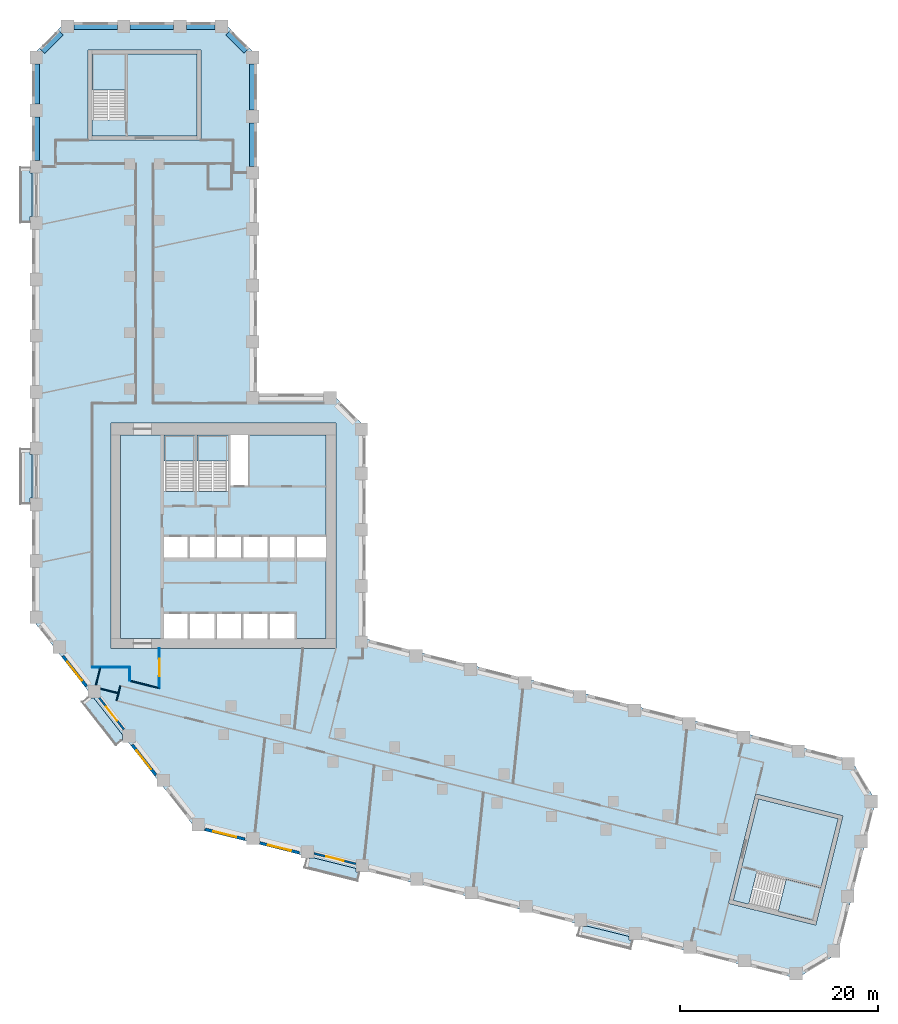
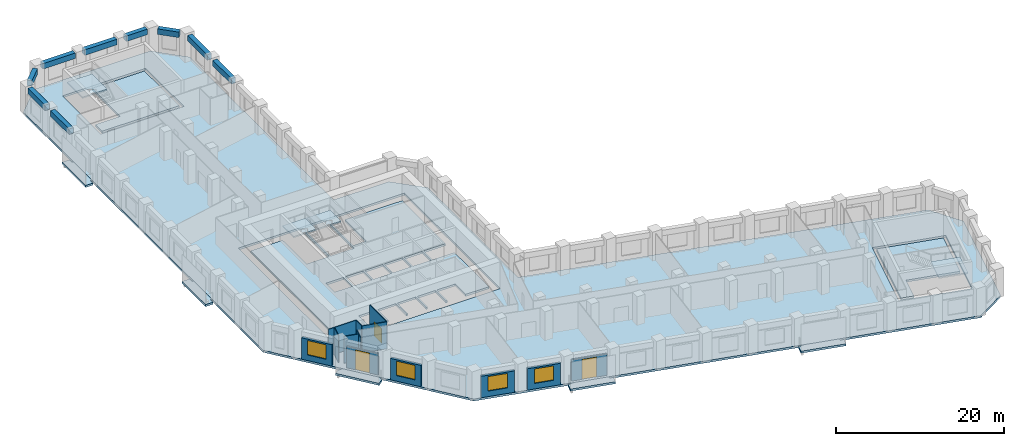
# One storey, part 2 of 11: 13 slabs, 13 walls, 9 beams, 4 windows, 3 doors, 7 openings, 4 elements without a shape of their own.
"""IFC4 building model written with IfcOpenShell, lengths in metres."""

import ifcopenshell
import ifcopenshell.guid

model = None  # the IFC model being written
_history = None  # IfcOwnerHistory: only IFC2X3 demands one
_inside = {}  # id of a spatial element -> (the spatial element, [elements in it])
_under = {}  # id of a project, library or spatial element -> (it, [spatial elements below it])
_declared = {}  # id of a project -> (the project, [libraries it declares])
_typed = {}  # id of a type object -> (the type object, [elements of that type])
_made_of = {}  # id of a material, layer set ... -> (it, [elements and type objects made of it])


def new_model(schema):
    """Start an empty IFC model of exactly this schema.

    Asked for "IFC4X3", IfcOpenShell would pick the latest addendum, in which some entities
    have other attributes; the version numbers below select the first issue.
    IFC2X3 requires an IfcOwnerHistory on every rooted entity: one is made here for all.
    """
    global model, _history
    if schema == "IFC4X3":
        model = ifcopenshell.file(schema_version=(4, 3, 0, 0))
    else:
        model = ifcopenshell.file(schema=schema)
    _inside.clear()
    _under.clear()
    _declared.clear()
    _typed.clear()
    _made_of.clear()
    _history = None
    if model.schema == "IFC2X3":
        org = make("IfcOrganization", Name="unknown")
        user = make(
            "IfcPersonAndOrganization",
            ThePerson=make("IfcPerson", FamilyName="unknown"),
            TheOrganization=org,
        )
        app = make(
            "IfcApplication",
            ApplicationDeveloper=org,
            Version="unknown",
            ApplicationFullName="unknown",
            ApplicationIdentifier="unknown",
        )
        _history = make(
            "IfcOwnerHistory",
            OwningUser=user,
            OwningApplication=app,
            ChangeAction="ADDED",
            CreationDate=0,
        )
    return model


def make(cls, **values):
    """One entity of the class cls with the attributes given. An attribute that is None is left unset."""
    return model.create_entity(
        cls, **{name: value for name, value in values.items() if value is not None}
    )


def rooted(cls, **values):
    """An entity with a GlobalId (a new one), such as an element, a storey or a relation."""
    return make(cls, GlobalId=ifcopenshell.guid.new(), OwnerHistory=_history, **values)


def si_unit(unit_type, name, prefix=None):
    """IfcSIUnit, for example si_unit("LENGTHUNIT", "METRE", prefix="MILLI")."""
    return make("IfcSIUnit", UnitType=unit_type, Prefix=prefix, Name=name)


def assignment(units):
    """IfcUnitAssignment: the units of a project."""
    return None if units is None else make("IfcUnitAssignment", Units=units)


def point(xyz):
    """IfcCartesianPoint."""
    return None if xyz is None else make("IfcCartesianPoint", Coordinates=xyz)


def direction(xyz):
    """IfcDirection."""
    return None if xyz is None else make("IfcDirection", DirectionRatios=xyz)


def frame(location, z_axis=None, x_axis=None):
    """IfcAxis2Placement3D, a coordinate frame: its origin and axes. An axis left out is left unset."""
    return make(
        "IfcAxis2Placement3D",
        Location=point(location),
        Axis=direction(z_axis),
        RefDirection=direction(x_axis),
    )


def frame_2d(location, x_axis=None):
    """IfcAxis2Placement2D, a coordinate frame in the plane: its origin and x axis."""
    return make(
        "IfcAxis2Placement2D", Location=point(location), RefDirection=direction(x_axis)
    )


def origin():
    """The frame at (0, 0, 0) with its axes left unset."""
    return frame((0.0, 0.0, 0.0))


def origin_2d():
    """The frame at (0, 0) in the plane with its x axis left unset."""
    return frame_2d((0.0, 0.0))


def place(relative_to, where):
    """IfcLocalPlacement: puts the frame where relative to a parent placement (None: the world)."""
    return make(
        "IfcLocalPlacement", PlacementRelTo=relative_to, RelativePlacement=where
    )


def context(
    kind, dimensions, precision=None, world=None, true_north=None, identifier=None
):
    """IfcGeometricRepresentationContext, for example the 3D "Model" context."""
    return make(
        "IfcGeometricRepresentationContext",
        ContextIdentifier=identifier,
        ContextType=kind,
        CoordinateSpaceDimension=dimensions,
        Precision=precision,
        WorldCoordinateSystem=world,
        TrueNorth=true_north,
    )


def subcontext(parent, identifier, kind, view, scale=None):
    """IfcGeometricRepresentationSubContext, for example "Body" below "Model"."""
    return make(
        "IfcGeometricRepresentationSubContext",
        ContextIdentifier=identifier,
        ContextType=kind,
        ParentContext=parent,
        TargetScale=scale,
        TargetView=view,
    )


def project(units=None, contexts=None):
    """IfcProject with its units and contexts."""
    return rooted(
        "IfcProject",
        Name="project",
        RepresentationContexts=contexts,
        UnitsInContext=assignment(units),
    )


def spatial(cls, under=None, at=None, **own):
    """A site, building, storey or space (cls), placed at a placement, below another one or the project."""
    s = rooted(cls, ObjectPlacement=at, **own)
    if under is not None:
        _under.setdefault(under.id(), (under, []))[1].append(s)
    return s


def polyline(points):
    """IfcPolyline through the points."""
    return make("IfcPolyline", Points=[point(p) for p in points])


def profile(cls, at=None, kind="AREA", **sizes):
    """A parametric profile (cls). Its sizes go by their IFC names, for example OverallWidth=200.0."""
    return make(cls, ProfileType=kind, Position=at, **sizes)


def rectangle(**sizes):
    """IfcRectangleProfileDef."""
    return profile("IfcRectangleProfileDef", **sizes)


def outline(outer, holes=None, kind="AREA"):
    """IfcArbitraryClosedProfileDef: a profile drawn as a closed curve; with holes, ...WithVoids."""
    if holes is None:
        return make("IfcArbitraryClosedProfileDef", ProfileType=kind, OuterCurve=outer)
    return make(
        "IfcArbitraryProfileDefWithVoids",
        ProfileType=kind,
        OuterCurve=outer,
        InnerCurves=holes,
    )


def extrude(swept, where, along, depth):
    """IfcExtrudedAreaSolid: the profile swept, set in the frame where, extruded along a direction by depth."""
    return make(
        "IfcExtrudedAreaSolid",
        SweptArea=swept,
        Position=where,
        ExtrudedDirection=direction(along),
        Depth=depth,
    )


def shape(context_of_items, identifier, shape_type, items):
    """IfcShapeRepresentation: the items that make up one representation, for example the "Body"."""
    return make(
        "IfcShapeRepresentation",
        ContextOfItems=context_of_items,
        RepresentationIdentifier=identifier,
        RepresentationType=shape_type,
        Items=items,
    )


def material(Name=None, Category=None):
    """IfcMaterial."""
    return make("IfcMaterial", Name=Name, Category=Category)


def layer(
    of_material, thickness, ventilated=None, Name=None, Category=None, Priority=None
):
    """IfcMaterialLayer: one layer of a wall or slab, of a material (None: an air gap)."""
    return make(
        "IfcMaterialLayer",
        Material=of_material,
        LayerThickness=thickness,
        IsVentilated=ventilated,
        Name=Name,
        Category=Category,
        Priority=Priority,
    )


def layer_set(layers, Name=None):
    """IfcMaterialLayerSet."""
    return make("IfcMaterialLayerSet", MaterialLayers=layers, LayerSetName=Name)


def material_profile(
    of_material, cross_section, Name=None, Category=None, Priority=None
):
    """IfcMaterialProfile: a cross section and its material."""
    return make(
        "IfcMaterialProfile",
        Name=Name,
        Material=of_material,
        Profile=cross_section,
        Priority=Priority,
        Category=Category,
    )


def profile_set(profiles, Name=None, composite=None):
    """IfcMaterialProfileSet."""
    return make(
        "IfcMaterialProfileSet",
        Name=Name,
        MaterialProfiles=profiles,
        CompositeProfile=composite,
    )


def made_of(thing, what):
    """Note that an element or type object is made of a material, layer set ...; save() writes the relation."""
    if what is not None:
        _made_of.setdefault(what.id(), (what, []))[1].append(thing)
    return thing


def type_object(cls, material=None, **own):
    """A type object (cls), such as IfcWallType, which elements share."""
    return made_of(rooted(cls, **own), material)


def element(
    cls,
    number,
    at=None,
    inside=None,
    cuts=None,
    type_object=None,
    material=None,
    context=None,
    identifier="Body",
    shape_type=None,
    held_by="IfcProductDefinitionShape",
    body=None,
    shapes=None,
    **own,
):
    """One element of the class cls, such as IfcWall. Its Tag is "e" and its number.

    at: its placement. inside: the storey or other place that contains it. cuts: it is an
    opening in that element (IfcRelVoidsElement). A single representation is given by context,
    identifier, shape_type and body (its items); several are given by shapes. held_by: the class
    of the entity that holds the representations. save() writes the other relations.
    """
    e = rooted(cls, Tag="e%d" % number, ObjectPlacement=at, **own)
    if body is not None:
        shapes = [shape(context, identifier, shape_type, body)]
    if shapes is not None:
        e.Representation = make(held_by, Representations=shapes)
    if inside is not None:
        _inside.setdefault(inside.id(), (inside, []))[1].append(e)
    if cuts is not None:
        rooted(
            "IfcRelVoidsElement", RelatingBuildingElement=cuts, RelatedOpeningElement=e
        )
    if type_object is not None:
        _typed.setdefault(type_object.id(), (type_object, []))[1].append(e)
    return made_of(e, material)


def fill(opening, filler):
    """IfcRelFillsElement: the door or window that sits in an opening."""
    return rooted(
        "IfcRelFillsElement",
        RelatingOpeningElement=opening,
        RelatedBuildingElement=filler,
    )


def aggregate(whole, parts):
    """IfcRelAggregates: a whole, such as a stair, and the parts it consists of."""
    return rooted("IfcRelAggregates", RelatingObject=whole, RelatedObjects=parts)


def save(model, path):
    """Write the relations noted so far, then the file.

    IfcRelAggregates (storeys below a building ...), IfcRelContainedInSpatialStructure (elements
    in a storey), IfcRelDefinesByType, IfcRelAssociatesMaterial and IfcRelDeclares: one each for
    every whole, place, type object, material and project.
    """
    for whole, parts in _under.values():
        aggregate(whole, parts)
    for where, things in _inside.values():
        rooted(
            "IfcRelContainedInSpatialStructure",
            RelatedElements=things,
            RelatingStructure=where,
        )
    for kind, things in _typed.values():
        rooted("IfcRelDefinesByType", RelatedObjects=things, RelatingType=kind)
    for what, things in _made_of.values():
        rooted("IfcRelAssociatesMaterial", RelatedObjects=things, RelatingMaterial=what)
    for by, libraries in _declared.values():
        rooted("IfcRelDeclares", RelatingContext=by, RelatedDefinitions=libraries)
    model.write(path)


model = new_model("IFC4")

# Units and contexts
model_context = context("Model", 3, precision=1e-05, world=origin(), true_north=direction((0.0, 1.0)))
body_context = subcontext(model_context, "Body", "Model", "MODEL_VIEW")
ifc_project = project(units=[si_unit("LENGTHUNIT", "METRE"), si_unit("AREAUNIT", "SQUARE_METRE"), si_unit("VOLUMEUNIT", "CUBIC_METRE"), si_unit("PLANEANGLEUNIT", "RADIAN"), si_unit("MASSUNIT", "GRAM", prefix="KILO")], contexts=[model_context])

# Site, building, storey
site_placement = place(None, origin())
site = spatial("IfcSite", under=ifc_project, at=site_placement, CompositionType="ELEMENT")
building_placement = place(site_placement, origin())
building = spatial("IfcBuilding", under=site, at=building_placement, Name="Meshkara Civic Tower", CompositionType="ELEMENT")
storey_placement = place(building_placement, frame((0.0, 0.0, 143.39990234375)))
storey = spatial("IfcBuildingStorey", under=building, at=storey_placement, Name="L32", CompositionType="ELEMENT", Elevation=143.39990234375)

# Beams
ifc_material_1 = material(Name="Concrete C70", Category="concrete")
ifc_material_profile = material_profile(ifc_material_1, rectangle(XDim=0.60009765625, YDim=0.800048828125, at=origin_2d()))
ifc_profile_set = profile_set([ifc_material_profile], Name="Concrete C70")
beam_type = type_object("IfcBeamType", Name="Spandrel beam RC 600x800 C70", PredefinedType="BEAM", material=ifc_profile_set)
beam_1_placement = place(storey_placement, frame((22.35009765625, 62.89501953125, 3.5), z_axis=(0.0, 1.0, 0.0), x_axis=(-1.0, 0.0, 0.0)))
element("IfcBeam", 1, at=beam_1_placement, inside=storey, type_object=beam_type, Name="Spandrel beam AE04-AE05", PredefinedType="BEAM", context=body_context, shape_type="SweptSolid", body=[
    extrude(rectangle(XDim=0.60009765625, YDim=0.800048828125, at=origin_2d()), origin(), (0.0, 0.0, 1.0), 4.409912109375),
])
beam_2_placement = place(storey_placement, frame((22.35009765625, 68.594970703125, 3.5), z_axis=(0.0, 1.0, 0.0), x_axis=(-1.0, 0.0, 0.0)))
element("IfcBeam", 2, at=beam_2_placement, inside=storey, type_object=beam_type, Name="Spandrel beam AE05-AEEP1", PredefinedType="BEAM", context=body_context, shape_type="SweptSolid", body=[
    extrude(rectangle(XDim=0.60009765625, YDim=0.800048828125, at=origin_2d()), origin(), (0.0, 0.0, 1.0), 4.674072265625),
])
beam_3_placement = place(storey_placement, frame((21.70361328125, 74.560546875, 3.5), z_axis=(-0.707106781187, 0.707106781187, 0.0), x_axis=(-0.707106781187, -0.707106781187, 0.0)))
element("IfcBeam", 3, at=beam_3_placement, inside=storey, type_object=beam_type, Name="Spandrel beam AEEP1-ATiEP1", PredefinedType="BEAM", context=body_context, shape_type="SweptSolid", body=[
    extrude(rectangle(XDim=0.60009765625, YDim=0.800048828125, at=origin_2d()), origin(), (0.0, 0.0, 1.0), 2.634765625),
])
beam_4_placement = place(storey_placement, frame((18.549072265625, 77.070068359375, 3.5), z_axis=(-1.0, 0.0, 0.0), x_axis=(0.0, -1.0, 0.0)))
element("IfcBeam", 4, at=beam_4_placement, inside=storey, type_object=beam_type, Name="Spandrel beam AT02-P1-ATiEP1", PredefinedType="BEAM", context=body_context, shape_type="SweptSolid", body=[
    extrude(rectangle(XDim=0.60009765625, YDim=0.800048828125, at=origin_2d()), origin(), (0.0, 0.0, 1.0), 2.898193359375),
])
beam_5_placement = place(storey_placement, frame((14.361083984375, 77.070068359375, 3.5), z_axis=(-1.0, 0.0, 0.0), x_axis=(0.0, -1.0, 0.0)))
element("IfcBeam", 5, at=beam_5_placement, inside=storey, type_object=beam_type, Name="Spandrel beam AT01-P1-AT02-P1", PredefinedType="BEAM", context=body_context, shape_type="SweptSolid", body=[
    extrude(rectangle(XDim=0.60009765625, YDim=0.800048828125, at=origin_2d()), origin(), (0.0, 0.0, 1.0), 4.41015625),
])
beam_6_placement = place(storey_placement, frame((8.660888671875, 77.070068359375, 3.5), z_axis=(-1.0, 0.0, 0.0), x_axis=(0.0, -1.0, 0.0)))
element("IfcBeam", 6, at=beam_6_placement, inside=storey, type_object=beam_type, Name="Spandrel beam AT00-P1-AT01-P1", PredefinedType="BEAM", context=body_context, shape_type="SweptSolid", body=[
    extrude(rectangle(XDim=0.60009765625, YDim=0.800048828125, at=origin_2d()), origin(), (0.0, 0.0, 1.0), 4.409912109375),
])
beam_7_placement = place(storey_placement, frame((2.95947265625, 76.423583984375, 3.5), z_axis=(-0.707106781187, -0.707106781187, 0.0), x_axis=(0.707106781187, -0.707106781187, 0.0)))
element("IfcBeam", 7, at=beam_7_placement, inside=storey, type_object=beam_type, Name="Spandrel beam AT00-P1-ATo00-P1", PredefinedType="BEAM", context=body_context, shape_type="SweptSolid", body=[
    extrude(rectangle(XDim=0.60009765625, YDim=0.800048828125, at=origin_2d()), origin(), (0.0, 0.0, 1.0), 2.634765625),
])
beam_8_placement = place(storey_placement, frame((0.449951171875, 73.26904296875, 3.5), z_axis=(0.0, -1.0, 0.0), x_axis=(1.0, 0.0, 0.0)))
element("IfcBeam", 8, at=beam_8_placement, inside=storey, type_object=beam_type, Name="Spandrel beam ATo00-P1-AW09", PredefinedType="BEAM", context=body_context, shape_type="SweptSolid", body=[
    extrude(rectangle(XDim=0.60009765625, YDim=0.800048828125, at=origin_2d()), origin(), (0.0, 0.0, 1.0), 4.069091796875),
])
beam_9_placement = place(storey_placement, frame((0.449951171875, 67.909912109375, 3.5), z_axis=(0.0, -1.0, 0.0), x_axis=(1.0, 0.0, 0.0)))
element("IfcBeam", 9, at=beam_9_placement, inside=storey, type_object=beam_type, Name="Spandrel beam AW08-AW09", PredefinedType="BEAM", context=body_context, shape_type="SweptSolid", body=[
    extrude(rectangle(XDim=0.60009765625, YDim=0.800048828125, at=origin_2d()), origin(), (0.0, 0.0, 1.0), 4.409912109375),
])

# Slabs
ifc_material_2 = material(Name="Concrete C40", Category="concrete")
ifc_layer_1 = layer(ifc_material_2, 0.300048828125)
ifc_layer_set_1 = layer_set([ifc_layer_1], Name="BALCONY SLAB")
slab_type_1 = type_object("IfcSlabType", Name="BALCONY SLAB", PredefinedType="FLOOR", material=ifc_layer_set_1)
slab_1_placement = place(storey_placement, frame((0.0, 0.0, -0.2998046875)))
element("IfcSlab", 10, at=slab_1_placement, inside=storey, type_object=slab_type_1, Name="Balcony slab", PredefinedType="FLOOR", context=body_context, shape_type="SweptSolid", body=[
    extrude(outline(polyline([(-1.199951171875, 57.215087890625), (-1.199951171875, 62.794921875), (-0.199951171875, 62.794921875), (-0.199951171875, 62.205078125), (0.0, 62.205078125), (0.0, 57.804931640625), (-0.199951171875, 57.804931640625), (-0.199951171875, 57.215087890625), (-1.199951171875, 57.215087890625)])), origin(), (0.0, 0.0, 1.0), 0.2998046875),
])
slab_2_placement = place(storey_placement, frame((0.0, 0.0, -0.2998046875)))
element("IfcSlab", 11, at=slab_2_placement, inside=storey, type_object=slab_type_1, Name="Balcony slab", PredefinedType="FLOOR", context=body_context, shape_type="SweptSolid", body=[
    extrude(outline(polyline([(-1.199951171875, 28.715087890625), (-1.199951171875, 34.294921875), (-0.199951171875, 34.294921875), (-0.199951171875, 33.705078125), (0.0, 33.705078125), (0.0, 29.304931640625), (-0.199951171875, 29.304931640625), (-0.199951171875, 28.715087890625), (-1.199951171875, 28.715087890625)])), origin(), (0.0, 0.0, 1.0), 0.2998046875),
])
slab_3_placement = place(storey_placement, frame((0.0, 0.0, -0.2998046875)))
element("IfcSlab", 12, at=slab_3_placement, inside=storey, type_object=slab_type_1, Name="Balcony slab", PredefinedType="FLOOR", context=body_context, shape_type="SweptSolid", body=[
    extrude(outline(polyline([(8.49609375, 4.27587890625), (5.06005859375, 8.674072265625), (5.673095703125, 9.153076171875), (5.673095703125, 9.0869140625), (6.260009765625, 9.0869140625), (9.18310546875, 5.345947265625), (9.18310546875, 4.81298828125), (8.49609375, 4.27587890625)])), origin(), (0.0, 0.0, 1.0), 0.2998046875),
])
slab_4_placement = place(storey_placement, frame((0.0, 0.0, -0.2998046875)))
element("IfcSlab", 13, at=slab_4_placement, inside=storey, type_object=slab_type_1, Name="Balcony slab", PredefinedType="FLOOR", context=body_context, shape_type="SweptSolid", body=[
    extrude(outline(polyline([(32.986083984375, -9.4609375), (27.571044921875, -8.111083984375), (27.81201171875, -7.14599609375), (28.56201171875, -7.14599609375), (28.56201171875, -7.12109375), (32.79296875, -8.176025390625), (32.79296875, -8.52490234375), (33.218994140625, -8.52490234375), (32.986083984375, -9.4609375)])), origin(), (0.0, 0.0, 1.0), 0.2998046875),
])
slab_5_placement = place(storey_placement, frame((0.0, 0.0, -0.2998046875)))
element("IfcSlab", 14, at=slab_5_placement, inside=storey, type_object=slab_type_1, Name="Balcony slab", PredefinedType="FLOOR", context=body_context, shape_type="SweptSolid", body=[
    extrude(outline(polyline([(60.639892578125, -16.35595703125), (55.22509765625, -15.006103515625), (55.466064453125, -14.0400390625), (56.216064453125, -14.0400390625), (56.216064453125, -14.01611328125), (60.447021484375, -15.071044921875), (60.447021484375, -15.4189453125), (60.873046875, -15.4189453125), (60.639892578125, -16.35595703125)])), origin(), (0.0, 0.0, 1.0), 0.2998046875),
])
ifc_material_3 = material(Name="Concrete C40/50", Category="concrete")
ifc_layer_2 = layer(ifc_material_3, 0.300048828125)
ifc_layer_set_2 = layer_set([ifc_layer_2], Name="Core floor slab 300 C40/50")
slab_type_2 = type_object("IfcSlabType", Name="Core floor slab 300 C40/50", PredefinedType="FLOOR", material=ifc_layer_set_2)
slab_6_placement = place(storey_placement, frame((0.0, 0.0, -0.2998046875)))
element("IfcSlab", 15, at=slab_6_placement, inside=storey, type_object=slab_type_2, Name="Core floor K", PredefinedType="FLOOR", context=body_context, shape_type="SweptSolid", body=[
    extrude(outline(polyline([(9.0, 35.699951171875), (13.39990234375, 35.699951171875), (13.39990234375, 30.00146484375), (16.5, 30.00146484375), (16.5, 35.699951171875), (16.699951171875, 35.699951171875), (16.699951171875, 30.00146484375), (19.89990234375, 30.00146484375), (19.89990234375, 35.699951171875), (20.10009765625, 35.699951171875), (20.10009765625, 30.574951171875), (21.925048828125, 30.574951171875), (21.925048828125, 35.699951171875), (29.800048828125, 35.699951171875), (29.800048828125, 25.39990234375), (26.800048828125, 25.39990234375), (26.800048828125, 23.300048828125), (29.800048828125, 23.300048828125), (29.800048828125, 15.10009765625), (26.60009765625, 15.10009765625), (26.60009765625, 17.60009765625), (24.10009765625, 17.60009765625), (24.10009765625, 15.10009765625), (23.89990234375, 15.10009765625), (23.89990234375, 17.60009765625), (21.39990234375, 17.60009765625), (21.39990234375, 15.10009765625), (21.199951171875, 15.10009765625), (21.199951171875, 17.60009765625), (18.699951171875, 17.60009765625), (18.699951171875, 15.10009765625), (18.5, 15.10009765625), (18.5, 17.60009765625), (16.0, 17.60009765625), (16.0, 15.10009765625), (15.800048828125, 15.10009765625), (15.800048828125, 17.60009765625), (13.39990234375, 17.60009765625), (13.39990234375, 15.10009765625), (9.0, 15.10009765625), (9.0, 35.699951171875)]), holes=[polyline([(13.39990234375, 25.39990234375), (13.39990234375, 23.300048828125), (15.800048828125, 23.300048828125), (15.800048828125, 25.39990234375), (13.39990234375, 25.39990234375)]), polyline([(18.5, 23.300048828125), (18.5, 25.39990234375), (16.0, 25.39990234375), (16.0, 23.300048828125), (18.5, 23.300048828125)]), polyline([(18.699951171875, 25.39990234375), (18.699951171875, 23.300048828125), (21.199951171875, 23.300048828125), (21.199951171875, 25.39990234375), (18.699951171875, 25.39990234375)]), polyline([(23.89990234375, 25.39990234375), (21.39990234375, 25.39990234375), (21.39990234375, 23.300048828125), (23.89990234375, 23.300048828125), (23.89990234375, 25.39990234375)]), polyline([(24.10009765625, 23.300048828125), (26.60009765625, 23.300048828125), (26.60009765625, 25.39990234375), (24.10009765625, 25.39990234375), (24.10009765625, 23.300048828125)])]), origin(), (0.0, 0.0, 1.0), 0.2998046875),
])
slab_7_placement = place(storey_placement, frame((0.0, 0.0, -0.2998046875)))
element("IfcSlab", 16, at=slab_7_placement, inside=storey, type_object=slab_type_2, Name="Core floor EA", PredefinedType="FLOOR", context=body_context, shape_type="SweptSolid", body=[
    extrude(outline(polyline([(16.699951171875, 65.969970703125), (16.699951171875, 74.27001953125), (9.5, 74.27001953125), (9.5, 67.571533203125), (6.10009765625, 67.571533203125), (6.10009765625, 65.969970703125), (16.699951171875, 65.969970703125)])), origin(), (0.0, 0.0, 1.0), 0.2998046875),
])
slab_8_placement = place(storey_placement, frame((0.0, 0.0, -0.2998046875)))
element("IfcSlab", 17, at=slab_8_placement, inside=storey, type_object=slab_type_2, Name="Core floor EB", PredefinedType="FLOOR", context=body_context, shape_type="SweptSolid", body=[
    extrude(outline(polyline([(73.581298828125, -1.134521484375), (81.634521484375, -3.142578125), (79.892822265625, -10.128662109375), (73.393310546875, -8.508056640625), (72.57080078125, -11.80712890625), (71.016845703125, -11.419677734375), (73.581298828125, -1.134521484375)])), origin(), (0.0, 0.0, 1.0), 0.2998046875),
])

# Stair, slab
ifc_material_4 = material(Name="Precast concrete C40/50", Category="concrete")
stair_type_1 = type_object("IfcStairType", Name="Exit stair half-turn 24 risers precast", PredefinedType="HALF_TURN_STAIR", material=ifc_material_4)
stair_1_placement = place(storey_placement, origin())
stair_1 = element("IfcStair", 18, at=stair_1_placement, inside=storey, type_object=stair_type_1, Name="L32 exit stair 1", PredefinedType="HALF_TURN_STAIR")
ifc_material_5 = material(Name="Precast concrete C40/50", Category="concrete")
ifc_layer_3 = layer(ifc_material_5, 0.199951171875)
ifc_layer_set_3 = layer_set([ifc_layer_3], Name="Exit stair landing 200")
slab_type_3 = type_object("IfcSlabType", Name="Exit stair landing 200", PredefinedType="LANDING", material=ifc_layer_set_3)
slab_9_placement = place(storey_placement, frame((0.0, 0.0, 1.900146484375)))
slab_9 = element("IfcSlab", 19, at=slab_9_placement, type_object=slab_type_3, Name="ST1 landing 1", PredefinedType="LANDING", context=body_context, shape_type="SweptSolid", body=[
    extrude(outline(polyline([(16.5, 33.07861328125), (16.5, 35.699951171875), (13.39990234375, 35.699951171875), (13.39990234375, 33.07861328125), (16.5, 33.07861328125)])), origin(), (0.0, 0.0, 1.0), 0.199951171875),
])
aggregate(stair_1, [slab_9])

stair_2_placement = place(storey_placement, origin())
stair_2 = element("IfcStair", 20, at=stair_2_placement, inside=storey, type_object=stair_type_1, Name="L32 exit stair 2", PredefinedType="HALF_TURN_STAIR")
slab_10_placement = place(storey_placement, frame((0.0, 0.0, 1.900146484375)))
slab_10 = element("IfcSlab", 21, at=slab_10_placement, type_object=slab_type_3, Name="ST2 landing 1", PredefinedType="LANDING", context=body_context, shape_type="SweptSolid", body=[
    extrude(outline(polyline([(19.89990234375, 33.07861328125), (19.89990234375, 35.699951171875), (16.699951171875, 35.699951171875), (16.699951171875, 33.07861328125), (19.89990234375, 33.07861328125)])), origin(), (0.0, 0.0, 1.0), 0.199951171875),
])
aggregate(stair_2, [slab_10])

ifc_material_6 = material(Name="Precast concrete C40/50", Category="concrete")
stair_type_2 = type_object("IfcStairType", Name="Exit stair half-turn 24 risers 1600 precast", PredefinedType="HALF_TURN_STAIR", material=ifc_material_6)
stair_3_placement = place(storey_placement, origin())
stair_3 = element("IfcStair", 22, at=stair_3_placement, inside=storey, type_object=stair_type_2, Name="L32 exit stair A from L20", PredefinedType="HALF_TURN_STAIR")
slab_11_placement = place(storey_placement, frame((0.0, 0.0, 1.900146484375)))
slab_11 = element("IfcSlab", 23, at=slab_11_placement, type_object=slab_type_3, Name="ESA2 landing 1", PredefinedType="LANDING", context=body_context, shape_type="SweptSolid", body=[
    extrude(outline(polyline([(9.5, 70.6484375), (9.5, 74.27001953125), (6.10009765625, 74.27001953125), (6.10009765625, 70.6484375), (9.5, 70.6484375)])), origin(), (0.0, 0.0, 1.0), 0.199951171875),
])
aggregate(stair_3, [slab_11])

stair_4_placement = place(storey_placement, origin())
stair_4 = element("IfcStair", 24, at=stair_4_placement, inside=storey, type_object=stair_type_2, Name="L32 exit stair B from L20", PredefinedType="HALF_TURN_STAIR")
slab_12_placement = place(storey_placement, frame((0.0, 0.0, 1.900146484375)))
slab_12 = element("IfcSlab", 25, at=slab_12_placement, type_object=slab_type_3, Name="ESB2 landing 1", PredefinedType="LANDING", context=body_context, shape_type="SweptSolid", body=[
    extrude(outline(polyline([(75.5556640625, -12.55224609375), (79.06982421875, -13.428955078125), (79.89306640625, -10.12890625), (76.379150390625, -9.25244140625), (75.5556640625, -12.55224609375)])), origin(), (0.0, 0.0, 1.0), 0.199951171875),
])
aggregate(stair_4, [slab_12])

# Slab
ifc_material_7 = material(Name="Concrete C50", Category="concrete")
ifc_layer_4 = layer(ifc_material_7, 0.300048828125)
ifc_layer_set_4 = layer_set([ifc_layer_4], Name="Post-tensioned flat slab 300 C50")
slab_type_4 = type_object("IfcSlabType", Name="Post-tensioned flat slab 300 C50", PredefinedType="FLOOR", material=ifc_layer_set_4)
slab_13_placement = place(storey_placement, frame((0.0, 0.0, -0.2998046875)))
element("IfcSlab", 26, at=slab_13_placement, inside=storey, type_object=slab_type_4, Name="Post-tensioned flat slab L32", PredefinedType="FLOOR", context=body_context, shape_type="SweptSolid", body=[
    extrude(outline(polyline([(81.574951171875, -16.81396484375), (77.429931640625, -19.304931640625), (16.592041015625, -4.136962890625), (0.0, 17.10009765625), (0.0, 74.10009765625), (3.419921875, 77.52001953125), (19.3798828125, 77.52001953125), (22.800048828125, 74.10009765625), (22.800048828125, 39.89990234375), (30.3798828125, 39.89990234375), (33.800048828125, 36.47998046875), (33.800048828125, 15.071044921875), (82.945068359375, 2.81689453125), (85.43603515625, -1.327880859375), (81.574951171875, -16.81396484375)]), holes=[polyline([(79.362060546875, -13.9130859375), (82.1201171875, -2.85107421875), (73.2900390625, -0.64990234375), (70.531982421875, -11.7109375), (79.362060546875, -13.9130859375)]), polyline([(8.0, 14.10009765625), (30.800048828125, 14.10009765625), (30.800048828125, 36.89990234375), (8.0, 36.89990234375), (8.0, 14.10009765625)]), polyline([(5.699951171875, 74.669921875), (5.699951171875, 65.570068359375), (17.10009765625, 65.570068359375), (17.10009765625, 74.669921875), (5.699951171875, 74.669921875)])]), origin(), (0.0, 0.0, 1.0), 0.2998046875),
])

# Walls
ifc_material_8 = material(Name="Corridor wall 100")
ifc_layer_5 = layer(ifc_material_8, 0.10009765625)
ifc_layer_set_5 = layer_set([ifc_layer_5], Name="Corridor wall 100")
wall_type_1 = type_object("IfcWallType", Name="Corridor wall 100", PredefinedType="PARTITIONING", material=ifc_layer_set_5)
wall_1_placement = place(storey_placement, frame((6.10009765625, 12.199951171875, 0.0), z_axis=(0.0, 0.0, 1.0), x_axis=(1.0, 0.0, 0.0)))
element("IfcWall", 27, at=wall_1_placement, inside=storey, type_object=wall_type_1, Name="L32-W004", PredefinedType="PARTITIONING", context=body_context, shape_type="SweptSolid", body=[
    extrude(rectangle(XDim=3.7998046875, YDim=0.10009765625, at=frame_2d((1.89990234375, 0.0))), origin(), (0.0, 0.0, 1.0), 3.900146484375),
])
wall_2_placement = place(storey_placement, frame((8.9580078125, 10.322998046875, 0.0), z_axis=(0.0, 0.0, 1.0), x_axis=(-0.241875508386, -0.97030729073, 0.0)))
element("IfcWall", 28, at=wall_2_placement, inside=storey, type_object=wall_type_1, Name="L32-W008", PredefinedType="PARTITIONING", context=body_context, shape_type="SweptSolid", body=[
    extrude(rectangle(XDim=1.566650390625, YDim=0.10009765625, at=frame_2d((0.783203125, 0.0))), origin(), (0.0, 0.0, 1.0), 3.900146484375),
])
wall_3_placement = place(storey_placement, frame((9.89990234375, 10.825927734375, 0.0), z_axis=(0.0, 0.0, 1.0), x_axis=(0.970290953223, -0.241941038466, 0.0)))
element("IfcWall", 29, at=wall_3_placement, inside=storey, type_object=wall_type_1, Name="L32-W009", PredefinedType="PARTITIONING", context=body_context, shape_type="SweptSolid", body=[
    extrude(rectangle(XDim=3.091796875, YDim=0.10009765625, at=frame_2d((1.5458984375, 0.0))), origin(), (0.0, 0.0, 1.0), 3.900146484375),
])
wall_4_placement = place(storey_placement, frame((9.89990234375, 12.199951171875, 0.0), z_axis=(0.0, 0.0, 1.0), x_axis=(0.0, -1.0, 0.0)))
element("IfcWall", 30, at=wall_4_placement, inside=storey, type_object=wall_type_1, Name="L32-W010", PredefinedType="PARTITIONING", context=body_context, shape_type="SweptSolid", body=[
    extrude(rectangle(XDim=1.3740234375, YDim=0.10009765625, at=frame_2d((0.68701171875, 0.0))), origin(), (0.0, 0.0, 1.0), 3.900146484375),
])

# Wall, opening, door
wall_5_placement = place(storey_placement, frame((12.89990234375, 10.077880859375, 0.0), z_axis=(0.0, 0.0, 1.0), x_axis=(0.0, 1.0, 0.0)))
wall_5 = element("IfcWall", 31, at=wall_5_placement, inside=storey, type_object=wall_type_1, Name="L32-W014", PredefinedType="PARTITIONING", context=body_context, shape_type="SweptSolid", body=[
    extrude(rectangle(XDim=4.022216796875, YDim=0.10009765625, at=frame_2d((2.01123046875, 0.0))), origin(), (0.0, 0.0, 1.0), 3.900146484375),
])
opening_1_placement = place(wall_5_placement, frame((1.179931640625, 0.0, 0.0)))
opening_1 = element("IfcOpeningElement", 32, at=opening_1_placement, cuts=wall_5, Name="Opening L32-D015", PredefinedType="OPENING", context=body_context, shape_type="SweptSolid", body=[
    extrude(rectangle(XDim=1.800048828125, YDim=2.10009765625, at=frame_2d((0.89990234375, 1.050048828125))), frame((0.0, 0.06005859375, 0.0), z_axis=(0.0, -1.0, 0.0), x_axis=(1.0, 0.0, 0.0)), (0.0, 0.0, 1.0), 0.1201171875),
])
ifc_material_9 = material(Name="Door pair 1800 x 2100")
door_type_1 = type_object("IfcDoorType", Name="Door pair 1800 x 2100", OperationType="SINGLE_SWING_LEFT", PredefinedType="DOOR", material=ifc_material_9)
door_1_placement = place(opening_1_placement, origin())
door_1 = element("IfcDoor", 33, at=door_1_placement, inside=storey, type_object=door_type_1, Name="L32-D015", OperationType="DOUBLE_DOOR_SINGLE_SWING", OverallHeight=2.10009765625, OverallWidth=1.800048828125, PredefinedType="DOOR", context=body_context, shape_type="SweptSolid", body=[
    extrude(rectangle(XDim=1.800048828125, YDim=2.10009765625, at=frame_2d((0.89990234375, 1.050048828125))), frame((0.0, 0.02490234375, 0.0), z_axis=(0.0, -1.0, 0.0), x_axis=(1.0, 0.0, 0.0)), (0.0, 0.0, 1.0), 0.050048828125),
])
fill(opening_1, door_1)

# Wall, opening, window
ifc_material_10 = material(Name="Insulated infill panel with bronze anodised aluminium cladding", Category="aluminium")
ifc_layer_6 = layer(ifc_material_10, 0.300048828125)
ifc_layer_set_6 = layer_set([ifc_layer_6], Name="EXTERNAL INFILL WALL 300")
wall_type_2 = type_object("IfcWallType", Name="EXTERNAL INFILL WALL 300", PredefinedType="SOLIDWALL", material=ifc_layer_set_6)
wall_6_placement = place(storey_placement, frame((3.138916015625, 13.324951171875, 0.0), z_axis=(0.0, 0.0, 1.0), x_axis=(0.615779754703, -0.787918329332, 0.0)))
wall_6 = element("IfcWall", 34, at=wall_6_placement, inside=storey, type_object=wall_type_2, Name="External wall", PredefinedType="SOLIDWALL", context=body_context, shape_type="SweptSolid", body=[
    extrude(rectangle(XDim=3.874755859375, YDim=0.300048828125, at=frame_2d((1.9375, 0.0))), origin(), (0.0, 0.0, 1.0), 3.10009765625),
])
opening_2_placement = place(wall_6_placement, frame((0.738037109375, 0.0, 0.800048828125)))
opening_2 = element("IfcOpeningElement", 35, at=opening_2_placement, cuts=wall_6, Name="Opening W7", PredefinedType="OPENING", context=body_context, shape_type="SweptSolid", body=[
    extrude(rectangle(XDim=2.39990234375, YDim=2.10009765625, at=frame_2d((1.199951171875, 1.050048828125))), frame((0.0, 0.159912109375, 0.0), z_axis=(0.0, -1.0, 0.0), x_axis=(1.0, 0.0, 0.0)), (0.0, 0.0, 1.0), 0.320068359375),
])
ifc_material_11 = material(Name="Tinted double glazing", Category="glass")
window_type = type_object("IfcWindowType", Name="WINDOW 2400x2100", PartitioningType="DOUBLE_PANEL_VERTICAL", PredefinedType="WINDOW", material=ifc_material_11)
window_1_placement = place(opening_2_placement, origin())
window_1 = element("IfcWindow", 36, at=window_1_placement, inside=storey, type_object=window_type, Name="Window", OverallHeight=2.10009765625, OverallWidth=2.39990234375, PartitioningType="DOUBLE_PANEL_VERTICAL", PredefinedType="WINDOW", context=body_context, shape_type="SweptSolid", body=[
    extrude(rectangle(XDim=2.39990234375, YDim=2.10009765625, at=frame_2d((1.199951171875, 1.050048828125))), frame((0.0, 0.030029296875, 0.0), z_axis=(0.0, -1.0, 0.0), x_axis=(1.0, 0.0, 0.0)), (0.0, 0.0, 1.0), 0.06005859375),
])
fill(opening_2, window_1)

wall_7_placement = place(storey_placement, frame((10.157958984375, 4.341064453125, 0.0), z_axis=(0.0, 0.0, 1.0), x_axis=(0.615779754703, -0.787918329332, 0.0)))
wall_7 = element("IfcWall", 37, at=wall_7_placement, inside=storey, type_object=wall_type_2, Name="External wall", PredefinedType="SOLIDWALL", context=body_context, shape_type="SweptSolid", body=[
    extrude(rectangle(XDim=3.874755859375, YDim=0.300048828125, at=frame_2d((1.9375, 0.0))), origin(), (0.0, 0.0, 1.0), 3.10009765625),
])
opening_3_placement = place(wall_7_placement, frame((0.737060546875, 0.0, 0.800048828125)))
opening_3 = element("IfcOpeningElement", 38, at=opening_3_placement, cuts=wall_7, Name="Opening W7", PredefinedType="OPENING", context=body_context, shape_type="SweptSolid", body=[
    extrude(rectangle(XDim=2.39990234375, YDim=2.10009765625, at=frame_2d((1.199951171875, 1.050048828125))), frame((0.0, 0.159912109375, 0.0), z_axis=(0.0, -1.0, 0.0), x_axis=(1.0, 0.0, 0.0)), (0.0, 0.0, 1.0), 0.320068359375),
])
window_2_placement = place(opening_3_placement, origin())
window_2 = element("IfcWindow", 39, at=window_2_placement, inside=storey, type_object=window_type, Name="Window", OverallHeight=2.10009765625, OverallWidth=2.39990234375, PartitioningType="DOUBLE_PANEL_VERTICAL", PredefinedType="WINDOW", context=body_context, shape_type="SweptSolid", body=[
    extrude(rectangle(XDim=2.39990234375, YDim=2.10009765625, at=frame_2d((1.199951171875, 1.050048828125))), frame((0.0, 0.030029296875, 0.0), z_axis=(0.0, -1.0, 0.0), x_axis=(1.0, 0.0, 0.0)), (0.0, 0.0, 1.0), 0.06005859375),
])
fill(opening_3, window_2)

wall_8_placement = place(storey_placement, frame((17.54296875, -4.219970703125, 0.0), z_axis=(0.0, 0.0, 1.0), x_axis=(0.970337184445, -0.241755555227, 0.0)))
wall_8 = element("IfcWall", 40, at=wall_8_placement, inside=storey, type_object=wall_type_2, Name="External wall", PredefinedType="SOLIDWALL", context=body_context, shape_type="SweptSolid", body=[
    extrude(rectangle(XDim=4.124267578125, YDim=0.300048828125, at=frame_2d((2.06201171875, 0.0))), origin(), (0.0, 0.0, 1.0), 3.10009765625),
])
opening_4_placement = place(wall_8_placement, frame((0.862060546875, 0.0, 0.800048828125)))
opening_4 = element("IfcOpeningElement", 41, at=opening_4_placement, cuts=wall_8, Name="Opening W7", PredefinedType="OPENING", context=body_context, shape_type="SweptSolid", body=[
    extrude(rectangle(XDim=2.39990234375, YDim=2.10009765625, at=frame_2d((1.199951171875, 1.050048828125))), frame((0.0, 0.159912109375, 0.0), z_axis=(0.0, -1.0, 0.0), x_axis=(1.0, 0.0, 0.0)), (0.0, 0.0, 1.0), 0.320068359375),
])
window_3_placement = place(opening_4_placement, origin())
window_3 = element("IfcWindow", 42, at=window_3_placement, inside=storey, type_object=window_type, Name="Window", OverallHeight=2.10009765625, OverallWidth=2.39990234375, PartitioningType="DOUBLE_PANEL_VERTICAL", PredefinedType="WINDOW", context=body_context, shape_type="SweptSolid", body=[
    extrude(rectangle(XDim=2.39990234375, YDim=2.10009765625, at=frame_2d((1.199951171875, 1.050048828125))), frame((0.0, 0.030029296875, 0.0), z_axis=(0.0, -1.0, 0.0), x_axis=(1.0, 0.0, 0.0)), (0.0, 0.0, 1.0), 0.06005859375),
])
fill(opening_4, window_3)

wall_9_placement = place(storey_placement, frame((23.073974609375, -5.597900390625, 0.0), z_axis=(0.0, 0.0, 1.0), x_axis=(0.970267747908, -0.242034083076, 0.0)))
wall_9 = element("IfcWall", 43, at=wall_9_placement, inside=storey, type_object=wall_type_2, Name="External wall", PredefinedType="SOLIDWALL", context=body_context, shape_type="SweptSolid", body=[
    extrude(rectangle(XDim=4.12353515625, YDim=0.300048828125, at=frame_2d((2.061767578125, 0.0))), origin(), (0.0, 0.0, 1.0), 3.10009765625),
])
opening_5_placement = place(wall_9_placement, frame((0.862060546875, 0.0, 0.800048828125)))
opening_5 = element("IfcOpeningElement", 44, at=opening_5_placement, cuts=wall_9, Name="Opening W7", PredefinedType="OPENING", context=body_context, shape_type="SweptSolid", body=[
    extrude(rectangle(XDim=2.39990234375, YDim=2.10009765625, at=frame_2d((1.199951171875, 1.050048828125))), frame((0.0, 0.159912109375, 0.0), z_axis=(0.0, -1.0, 0.0), x_axis=(1.0, 0.0, 0.0)), (0.0, 0.0, 1.0), 0.320068359375),
])
window_4_placement = place(opening_5_placement, origin())
window_4 = element("IfcWindow", 45, at=window_4_placement, inside=storey, type_object=window_type, Name="Window", OverallHeight=2.10009765625, OverallWidth=2.39990234375, PartitioningType="DOUBLE_PANEL_VERTICAL", PredefinedType="WINDOW", context=body_context, shape_type="SweptSolid", body=[
    extrude(rectangle(XDim=2.39990234375, YDim=2.10009765625, at=frame_2d((1.199951171875, 1.050048828125))), frame((0.0, 0.030029296875, 0.0), z_axis=(0.0, -1.0, 0.0), x_axis=(1.0, 0.0, 0.0)), (0.0, 0.0, 1.0), 0.06005859375),
])
fill(opening_5, window_4)

# Wall, opening, door
ifc_material_12 = material(Name="Insulated infill panel with bronze anodised aluminium cladding", Category="aluminium")
ifc_layer_7 = layer(ifc_material_12, 0.199951171875)
ifc_layer_set_7 = layer_set([ifc_layer_7], Name="LOGGIA BACK WALL 200")
wall_type_3 = type_object("IfcWallType", Name="LOGGIA BACK WALL 200", PredefinedType="SOLIDWALL", material=ifc_layer_set_7)
wall_10_placement = place(storey_placement, frame((6.83203125, 9.0869140625, 0.0), z_axis=(0.0, 0.0, 1.0), x_axis=(0.615529395526, -0.788113927833, 0.0)))
wall_10 = element("IfcWall", 46, at=wall_10_placement, inside=storey, type_object=wall_type_3, Name="Loggia wall", PredefinedType="SOLIDWALL", context=body_context, shape_type="SweptSolid", body=[
    extrude(rectangle(XDim=4.050048828125, YDim=0.199951171875, at=frame_2d((2.02490234375, 0.0))), origin(), (0.0, 0.0, 1.0), 3.10009765625),
])
opening_6_placement = place(wall_10_placement, frame((1.125, 0.0, 0.0)))
opening_6 = element("IfcOpeningElement", 47, at=opening_6_placement, cuts=wall_10, Name="Opening L32-L003", PredefinedType="OPENING", context=body_context, shape_type="SweptSolid", body=[
    extrude(rectangle(XDim=1.800048828125, YDim=2.89990234375, at=frame_2d((0.89990234375, 1.449951171875))), frame((0.0, 0.10986328125, 0.0), z_axis=(0.0, -1.0, 0.0), x_axis=(1.0, 0.0, 0.0)), (0.0, 0.0, 1.0), 0.219970703125),
])
ifc_material_13 = material(Name="Tinted double glazing", Category="glass")
door_type_2 = type_object("IfcDoorType", Name="LOGGIA DOOR 1800x2900", OperationType="DOUBLE_DOOR_SINGLE_SWING", PredefinedType="DOOR", material=ifc_material_13)
door_2_placement = place(opening_6_placement, origin())
door_2 = element("IfcDoor", 48, at=door_2_placement, inside=storey, type_object=door_type_2, Name="L32-L003", OperationType="DOUBLE_DOOR_SINGLE_SWING", OverallHeight=2.89990234375, OverallWidth=1.800048828125, PredefinedType="DOOR", context=body_context, shape_type="SweptSolid", body=[
    extrude(rectangle(XDim=1.800048828125, YDim=2.89990234375, at=frame_2d((0.89990234375, 1.449951171875))), frame((0.0, 0.02490234375, 0.0), z_axis=(0.0, -1.0, 0.0), x_axis=(1.0, 0.0, 0.0)), (0.0, 0.0, 1.0), 0.050048828125),
])
fill(opening_6, door_2)

wall_11_placement = place(storey_placement, frame((28.56201171875, -6.657958984375, 0.0), z_axis=(0.0, 0.0, 1.0), x_axis=(0.970346363444, -0.241718710386, 0.0)))
wall_11 = element("IfcWall", 49, at=wall_11_placement, inside=storey, type_object=wall_type_3, Name="Loggia wall", PredefinedType="SOLIDWALL", context=body_context, shape_type="SweptSolid", body=[
    extrude(rectangle(XDim=4.3603515625, YDim=0.199951171875, at=frame_2d((2.18017578125, 0.0))), origin(), (0.0, 0.0, 1.0), 3.10009765625),
])
opening_7_placement = place(wall_11_placement, frame((1.280029296875, 0.0, 0.0)))
opening_7 = element("IfcOpeningElement", 50, at=opening_7_placement, cuts=wall_11, Name="Opening L32-L004", PredefinedType="OPENING", context=body_context, shape_type="SweptSolid", body=[
    extrude(rectangle(XDim=1.800048828125, YDim=2.89990234375, at=frame_2d((0.89990234375, 1.449951171875))), frame((0.0, 0.10986328125, 0.0), z_axis=(0.0, -1.0, 0.0), x_axis=(1.0, 0.0, 0.0)), (0.0, 0.0, 1.0), 0.219970703125),
])
door_3_placement = place(opening_7_placement, origin())
door_3 = element("IfcDoor", 51, at=door_3_placement, inside=storey, type_object=door_type_2, Name="L32-L004", OperationType="DOUBLE_DOOR_SINGLE_SWING", OverallHeight=2.89990234375, OverallWidth=1.800048828125, PredefinedType="DOOR", context=body_context, shape_type="SweptSolid", body=[
    extrude(rectangle(XDim=1.800048828125, YDim=2.89990234375, at=frame_2d((0.89990234375, 1.449951171875))), frame((0.0, 0.02490234375, 0.0), z_axis=(0.0, -1.0, 0.0), x_axis=(1.0, 0.0, 0.0)), (0.0, 0.0, 1.0), 0.050048828125),
])
fill(opening_7, door_3)

# Walls
ifc_material_14 = material(Name="Partition 100")
ifc_layer_8 = layer(ifc_material_14, 0.10009765625)
ifc_layer_set_8 = layer_set([ifc_layer_8], Name="Partition 100")
wall_type_4 = type_object("IfcWallType", Name="Partition 100", PredefinedType="PARTITIONING", material=ifc_layer_set_8)
wall_12_placement = place(storey_placement, frame((6.922119140625, 12.137939453125, 0.0), z_axis=(0.0, 0.0, 1.0), x_axis=(-0.242153635337, -0.970237917674, 0.0)))
element("IfcWall", 52, at=wall_12_placement, inside=storey, type_object=wall_type_4, Name="L32-W034", PredefinedType="PARTITIONING", context=body_context, shape_type="SweptSolid", body=[
    extrude(rectangle(XDim=1.8046875, YDim=0.10009765625, at=frame_2d((0.90234375, 0.0))), origin(), (0.0, 0.0, 1.0), 3.900146484375),
])
wall_13_placement = place(storey_placement, frame((8.718994140625, 9.574951171875, 0.0), z_axis=(0.0, 0.0, 1.0), x_axis=(-0.970333736057, 0.241769395645, 0.0)))
element("IfcWall", 53, at=wall_13_placement, inside=storey, type_object=wall_type_4, Name="L32-W035", PredefinedType="PARTITIONING", context=body_context, shape_type="SweptSolid", body=[
    extrude(rectangle(XDim=1.799560546875, YDim=0.10009765625, at=frame_2d((0.89990234375, 0.0))), origin(), (0.0, 0.0, 1.0), 3.900146484375),
])

save(model, "model.ifc")
